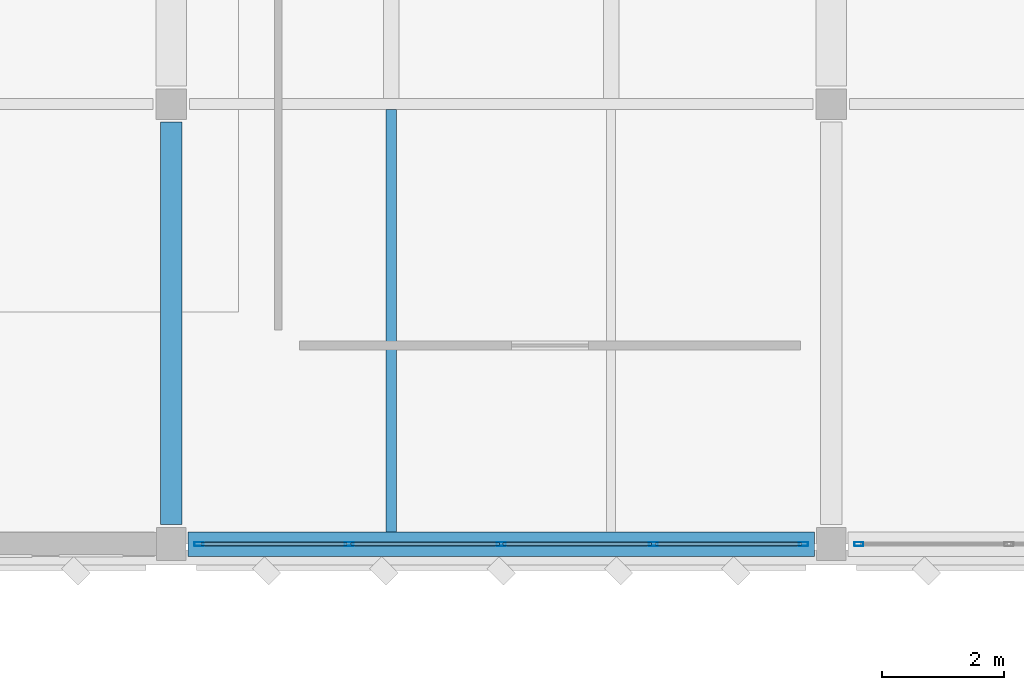
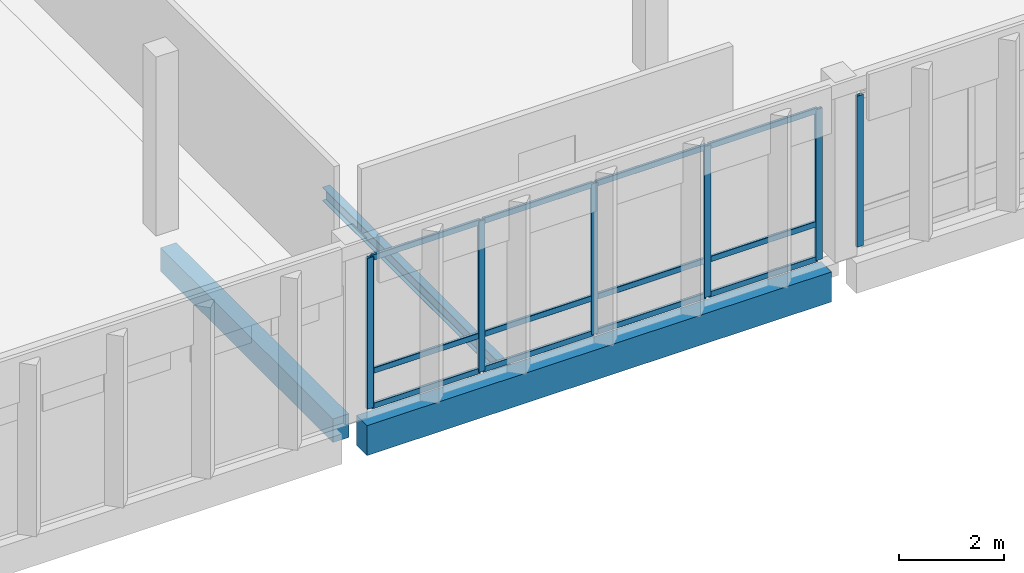
# One storey, part 24 of 72: 18 members, 3 beams, 2 elements without a shape of their own.
"""IFC4 building model written with IfcOpenShell, lengths in metres."""

from ifc_helpers import new_model, si_unit, direction, frame, origin, origin_2d, place, context, subcontext, project, spatial, rectangle, hollow_rectangle, i_section, extrude, material, material_profile, profile_set, type_object, element, aggregate, save


model = new_model("IFC4")

# Units and contexts
model_context = context("Model", 3, precision=1e-05, world=origin(), true_north=direction((0.0, 1.0)))
body_context = subcontext(model_context, "Body", "Model", "MODEL_VIEW")
ifc_project = project(units=[si_unit("LENGTHUNIT", "METRE"), si_unit("AREAUNIT", "SQUARE_METRE"), si_unit("VOLUMEUNIT", "CUBIC_METRE"), si_unit("PLANEANGLEUNIT", "RADIAN"), si_unit("MASSUNIT", "GRAM", prefix="KILO")], contexts=[model_context])

# Site, building, storey
site_placement = place(None, origin())
site = spatial("IfcSite", under=ifc_project, at=site_placement, CompositionType="ELEMENT")
building_placement = place(site_placement, origin())
building = spatial("IfcBuilding", under=site, at=building_placement, Name="Lusvemor Sports Hall", CompositionType="ELEMENT")
storey_placement = place(building_placement, frame((0.0, 0.0, 15.0)))
storey = spatial("IfcBuildingStorey", under=building, at=storey_placement, Name="L03", CompositionType="ELEMENT", Elevation=15.0)

# Beam
ifc_material_1 = material(Name="Concrete C40/50", Category="concrete")
ifc_material_profile_1 = material_profile(ifc_material_1, rectangle(XDim=0.35009765625, YDim=0.550048828125, at=origin_2d()), Name="RC350x550")
ifc_profile_set_1 = profile_set([ifc_material_profile_1], Name="Concrete C40/50")
beam_type_1 = type_object("IfcBeamType", Name="BEAM_RC_550", PredefinedType="BEAM", material=ifc_profile_set_1)
beam_1_placement = place(storey_placement, frame((32.39990234375, 97.51611328125, -0.514892578125), z_axis=(0.0, 1.0, 0.0), x_axis=(-1.0, 0.0, 0.0)))
element("IfcBeam", 1, at=beam_1_placement, inside=storey, type_object=beam_type_1, Name="Beam L03 4:N-P", PredefinedType="BEAM", context=body_context, shape_type="SweptSolid", body=[
    extrude(rectangle(XDim=0.35009765625, YDim=0.550048828125, at=origin_2d()), origin(), (0.0, 0.0, 1.0), 6.587890625),
])

# Curtain wall, members
ifc_material_2 = material(Name="Thermally broken bronze-anodized aluminium", Category="aluminium")
curtain_wall_type = type_object("IfcCurtainWallType", Name="CW_WING_B", PredefinedType="NOTDEFINED", material=ifc_material_2)
curtain_wall_1_placement = place(storey_placement, origin())
curtain_wall_1 = element("IfcCurtainWall", 2, at=curtain_wall_1_placement, inside=storey, type_object=curtain_wall_type, Name="Curtain Wall CW-L03-S-3-1", PredefinedType="NOTDEFINED")
ifc_material_3 = material(Name="Thermally broken bronze-anodized aluminium", Category="aluminium")
ifc_material_profile_2 = material_profile(ifc_material_3, hollow_rectangle(XDim=0.06494140625, YDim=0.14990234375, WallThickness=0.00390625, InnerFilletRadius=0.00390625, OuterFilletRadius=0.008056640625, at=origin_2d()), Name="CWMUL150x65x4")
ifc_profile_set_2 = profile_set([ifc_material_profile_2], Name="Thermally broken bronze-anodized aluminium")
member_type_1 = type_object("IfcMemberType", Name="CW_MUL_B", PredefinedType="MULLION", material=ifc_profile_set_2)
member_1_placement = place(storey_placement, frame((42.74755859375, 97.199951171875, 0.0), z_axis=(0.0, 0.0, 1.0), x_axis=(0.0, -1.0, 0.0)))
member_1 = element("IfcMember", 3, at=member_1_placement, type_object=member_type_1, Name="CW02 mullion 1", PredefinedType="MULLION", context=body_context, shape_type="SweptSolid", body=[
    extrude(hollow_rectangle(XDim=0.06494140625, YDim=0.14990234375, WallThickness=0.00390625, InnerFilletRadius=0.00390625, OuterFilletRadius=0.008056640625, at=origin_2d()), origin(), (0.0, 0.0, 1.0), 3.52001953125),
])
member_2_placement = place(storey_placement, frame((40.2900390625, 97.199951171875, 0.0), z_axis=(0.0, 0.0, 1.0), x_axis=(0.0, -1.0, 0.0)))
member_2 = element("IfcMember", 4, at=member_2_placement, type_object=member_type_1, Name="CW02 mullion 2", PredefinedType="MULLION", context=body_context, shape_type="SweptSolid", body=[
    extrude(hollow_rectangle(XDim=0.06494140625, YDim=0.14990234375, WallThickness=0.00390625, InnerFilletRadius=0.00390625, OuterFilletRadius=0.008056640625, at=origin_2d()), origin(), (0.0, 0.0, 1.0), 3.52001953125),
])
member_3_placement = place(storey_placement, frame((37.800048828125, 97.199951171875, 0.0), z_axis=(0.0, 0.0, 1.0), x_axis=(0.0, -1.0, 0.0)))
member_3 = element("IfcMember", 5, at=member_3_placement, type_object=member_type_1, Name="CW02 mullion 3", PredefinedType="MULLION", context=body_context, shape_type="SweptSolid", body=[
    extrude(hollow_rectangle(XDim=0.06494140625, YDim=0.14990234375, WallThickness=0.00390625, InnerFilletRadius=0.00390625, OuterFilletRadius=0.008056640625, at=origin_2d()), origin(), (0.0, 0.0, 1.0), 3.52001953125),
])
member_4_placement = place(storey_placement, frame((35.31005859375, 97.199951171875, 0.0), z_axis=(0.0, 0.0, 1.0), x_axis=(0.0, -1.0, 0.0)))
member_4 = element("IfcMember", 6, at=member_4_placement, type_object=member_type_1, Name="CW02 mullion 4", PredefinedType="MULLION", context=body_context, shape_type="SweptSolid", body=[
    extrude(hollow_rectangle(XDim=0.06494140625, YDim=0.14990234375, WallThickness=0.00390625, InnerFilletRadius=0.00390625, OuterFilletRadius=0.008056640625, at=origin_2d()), origin(), (0.0, 0.0, 1.0), 3.52001953125),
])
member_5_placement = place(storey_placement, frame((32.8525390625, 97.199951171875, 0.0), z_axis=(0.0, 0.0, 1.0), x_axis=(0.0, -1.0, 0.0)))
member_5 = element("IfcMember", 7, at=member_5_placement, type_object=member_type_1, Name="CW02 mullion 5", PredefinedType="MULLION", context=body_context, shape_type="SweptSolid", body=[
    extrude(hollow_rectangle(XDim=0.06494140625, YDim=0.14990234375, WallThickness=0.00390625, InnerFilletRadius=0.00390625, OuterFilletRadius=0.008056640625, at=origin_2d()), origin(), (0.0, 0.0, 1.0), 3.52001953125),
])

# Curtain wall, member
curtain_wall_2_placement = place(storey_placement, origin())
curtain_wall_2 = element("IfcCurtainWall", 8, at=curtain_wall_2_placement, inside=storey, type_object=curtain_wall_type, Name="Curtain Wall CW-L03-S-3-2", PredefinedType="NOTDEFINED")
member_6_placement = place(storey_placement, frame((43.652587890625, 97.199951171875, 0.0), z_axis=(0.0, 0.0, 1.0), x_axis=(0.0, -1.0, 0.0)))
member_6 = element("IfcMember", 9, at=member_6_placement, type_object=member_type_1, Name="CW02 mullion 5", PredefinedType="MULLION", context=body_context, shape_type="SweptSolid", body=[
    extrude(hollow_rectangle(XDim=0.06494140625, YDim=0.14990234375, WallThickness=0.00390625, InnerFilletRadius=0.00390625, OuterFilletRadius=0.008056640625, at=origin_2d()), origin(), (0.0, 0.0, 1.0), 3.52001953125),
])
aggregate(curtain_wall_2, [member_6])

# Member
ifc_material_4 = material(Name="Thermally broken bronze-anodized aluminium", Category="aluminium")
ifc_material_profile_3 = material_profile(ifc_material_4, hollow_rectangle(XDim=0.06005859375, YDim=0.135009765625, WallThickness=0.00390625, InnerFilletRadius=0.00390625, OuterFilletRadius=0.008056640625, at=origin_2d()), Name="CWTRN135x60x4")
ifc_profile_set_3 = profile_set([ifc_material_profile_3], Name="Thermally broken bronze-anodized aluminium")
member_type_2 = type_object("IfcMemberType", Name="CW_TRN_B", PredefinedType="USERDEFINED", material=ifc_profile_set_3)
member_7_placement = place(storey_placement, frame((42.715087890625, 97.199951171875, 0.030029296875), z_axis=(-1.0, 0.0, 0.0), x_axis=(0.0, -1.0, 0.0)))
member_7 = element("IfcMember", 10, at=member_7_placement, type_object=member_type_2, Name="CW02 transom 1.1", ObjectType="TRANSOM", PredefinedType="USERDEFINED", context=body_context, shape_type="SweptSolid", body=[
    extrude(hollow_rectangle(XDim=0.06005859375, YDim=0.135009765625, WallThickness=0.00390625, InnerFilletRadius=0.00390625, OuterFilletRadius=0.008056640625, at=origin_2d()), origin(), (0.0, 0.0, 1.0), 2.392578125),
])

member_8_placement = place(storey_placement, frame((42.715087890625, 97.199951171875, 0.85009765625), z_axis=(-1.0, 0.0, 0.0), x_axis=(0.0, -1.0, 0.0)))
member_8 = element("IfcMember", 11, at=member_8_placement, type_object=member_type_2, Name="CW02 transom 1.2", ObjectType="TRANSOM", PredefinedType="USERDEFINED", context=body_context, shape_type="SweptSolid", body=[
    extrude(hollow_rectangle(XDim=0.06005859375, YDim=0.135009765625, WallThickness=0.00390625, InnerFilletRadius=0.00390625, OuterFilletRadius=0.008056640625, at=origin_2d()), origin(), (0.0, 0.0, 1.0), 2.392578125),
])

member_9_placement = place(storey_placement, frame((42.715087890625, 97.199951171875, 3.489990234375), z_axis=(-1.0, 0.0, 0.0), x_axis=(0.0, -1.0, 0.0)))
member_9 = element("IfcMember", 12, at=member_9_placement, type_object=member_type_2, Name="CW02 transom 1.3", ObjectType="TRANSOM", PredefinedType="USERDEFINED", context=body_context, shape_type="SweptSolid", body=[
    extrude(hollow_rectangle(XDim=0.06005859375, YDim=0.135009765625, WallThickness=0.00390625, InnerFilletRadius=0.00390625, OuterFilletRadius=0.008056640625, at=origin_2d()), origin(), (0.0, 0.0, 1.0), 2.392578125),
])

member_10_placement = place(storey_placement, frame((40.257568359375, 97.199951171875, 0.030029296875), z_axis=(-1.0, 0.0, 0.0), x_axis=(0.0, -1.0, 0.0)))
member_10 = element("IfcMember", 13, at=member_10_placement, type_object=member_type_2, Name="CW02 transom 2.1", ObjectType="TRANSOM", PredefinedType="USERDEFINED", context=body_context, shape_type="SweptSolid", body=[
    extrude(hollow_rectangle(XDim=0.06005859375, YDim=0.135009765625, WallThickness=0.00390625, InnerFilletRadius=0.00390625, OuterFilletRadius=0.008056640625, at=origin_2d()), origin(), (0.0, 0.0, 1.0), 2.425048828125),
])

member_11_placement = place(storey_placement, frame((40.257568359375, 97.199951171875, 0.85009765625), z_axis=(-1.0, 0.0, 0.0), x_axis=(0.0, -1.0, 0.0)))
member_11 = element("IfcMember", 14, at=member_11_placement, type_object=member_type_2, Name="CW02 transom 2.2", ObjectType="TRANSOM", PredefinedType="USERDEFINED", context=body_context, shape_type="SweptSolid", body=[
    extrude(hollow_rectangle(XDim=0.06005859375, YDim=0.135009765625, WallThickness=0.00390625, InnerFilletRadius=0.00390625, OuterFilletRadius=0.008056640625, at=origin_2d()), origin(), (0.0, 0.0, 1.0), 2.425048828125),
])

member_12_placement = place(storey_placement, frame((40.257568359375, 97.199951171875, 3.489990234375), z_axis=(-1.0, 0.0, 0.0), x_axis=(0.0, -1.0, 0.0)))
member_12 = element("IfcMember", 15, at=member_12_placement, type_object=member_type_2, Name="CW02 transom 2.3", ObjectType="TRANSOM", PredefinedType="USERDEFINED", context=body_context, shape_type="SweptSolid", body=[
    extrude(hollow_rectangle(XDim=0.06005859375, YDim=0.135009765625, WallThickness=0.00390625, InnerFilletRadius=0.00390625, OuterFilletRadius=0.008056640625, at=origin_2d()), origin(), (0.0, 0.0, 1.0), 2.425048828125),
])

member_13_placement = place(storey_placement, frame((37.767578125, 97.199951171875, 0.030029296875), z_axis=(-1.0, 0.0, 0.0), x_axis=(0.0, -1.0, 0.0)))
member_13 = element("IfcMember", 16, at=member_13_placement, type_object=member_type_2, Name="CW02 transom 3.1", ObjectType="TRANSOM", PredefinedType="USERDEFINED", context=body_context, shape_type="SweptSolid", body=[
    extrude(hollow_rectangle(XDim=0.06005859375, YDim=0.135009765625, WallThickness=0.00390625, InnerFilletRadius=0.00390625, OuterFilletRadius=0.008056640625, at=origin_2d()), origin(), (0.0, 0.0, 1.0), 2.425048828125),
])

member_14_placement = place(storey_placement, frame((37.767578125, 97.199951171875, 0.85009765625), z_axis=(-1.0, 0.0, 0.0), x_axis=(0.0, -1.0, 0.0)))
member_14 = element("IfcMember", 17, at=member_14_placement, type_object=member_type_2, Name="CW02 transom 3.2", ObjectType="TRANSOM", PredefinedType="USERDEFINED", context=body_context, shape_type="SweptSolid", body=[
    extrude(hollow_rectangle(XDim=0.06005859375, YDim=0.135009765625, WallThickness=0.00390625, InnerFilletRadius=0.00390625, OuterFilletRadius=0.008056640625, at=origin_2d()), origin(), (0.0, 0.0, 1.0), 2.425048828125),
])

member_15_placement = place(storey_placement, frame((37.767578125, 97.199951171875, 3.489990234375), z_axis=(-1.0, 0.0, 0.0), x_axis=(0.0, -1.0, 0.0)))
member_15 = element("IfcMember", 18, at=member_15_placement, type_object=member_type_2, Name="CW02 transom 3.3", ObjectType="TRANSOM", PredefinedType="USERDEFINED", context=body_context, shape_type="SweptSolid", body=[
    extrude(hollow_rectangle(XDim=0.06005859375, YDim=0.135009765625, WallThickness=0.00390625, InnerFilletRadius=0.00390625, OuterFilletRadius=0.008056640625, at=origin_2d()), origin(), (0.0, 0.0, 1.0), 2.425048828125),
])

member_16_placement = place(storey_placement, frame((35.277587890625, 97.199951171875, 0.030029296875), z_axis=(-1.0, 0.0, 0.0), x_axis=(0.0, -1.0, 0.0)))
member_16 = element("IfcMember", 19, at=member_16_placement, type_object=member_type_2, Name="CW02 transom 4.1", ObjectType="TRANSOM", PredefinedType="USERDEFINED", context=body_context, shape_type="SweptSolid", body=[
    extrude(hollow_rectangle(XDim=0.06005859375, YDim=0.135009765625, WallThickness=0.00390625, InnerFilletRadius=0.00390625, OuterFilletRadius=0.008056640625, at=origin_2d()), origin(), (0.0, 0.0, 1.0), 2.392578125),
])

member_17_placement = place(storey_placement, frame((35.277587890625, 97.199951171875, 0.85009765625), z_axis=(-1.0, 0.0, 0.0), x_axis=(0.0, -1.0, 0.0)))
member_17 = element("IfcMember", 20, at=member_17_placement, type_object=member_type_2, Name="CW02 transom 4.2", ObjectType="TRANSOM", PredefinedType="USERDEFINED", context=body_context, shape_type="SweptSolid", body=[
    extrude(hollow_rectangle(XDim=0.06005859375, YDim=0.135009765625, WallThickness=0.00390625, InnerFilletRadius=0.00390625, OuterFilletRadius=0.008056640625, at=origin_2d()), origin(), (0.0, 0.0, 1.0), 2.392578125),
])

member_18_placement = place(storey_placement, frame((35.277587890625, 97.199951171875, 3.489990234375), z_axis=(-1.0, 0.0, 0.0), x_axis=(0.0, -1.0, 0.0)))
member_18 = element("IfcMember", 21, at=member_18_placement, type_object=member_type_2, Name="CW02 transom 4.3", ObjectType="TRANSOM", PredefinedType="USERDEFINED", context=body_context, shape_type="SweptSolid", body=[
    extrude(hollow_rectangle(XDim=0.06005859375, YDim=0.135009765625, WallThickness=0.00390625, InnerFilletRadius=0.00390625, OuterFilletRadius=0.008056640625, at=origin_2d()), origin(), (0.0, 0.0, 1.0), 2.392578125),
])

aggregate(curtain_wall_1, [member_1, member_2, member_3, member_4, member_5, member_7, member_8, member_9, member_10, member_11, member_12, member_13, member_14, member_15, member_16, member_17, member_18])

# Beams
ifc_material_5 = material(Name="Steel S355", Category="steel")
ifc_material_profile_4 = material_profile(ifc_material_5, i_section(OverallWidth=0.1669921875, OverallDepth=0.31689453125, WebThickness=0.007568359375, FlangeThickness=0.01318359375, FilletRadius=0.014892578125, at=origin_2d()), Name="W310x52.0")
ifc_profile_set_4 = profile_set([ifc_material_profile_4], Name="Steel S355")
beam_type_2 = type_object("IfcBeamType", Name="JOIST_ST_310M", PredefinedType="JOIST", material=ifc_profile_set_4)
beam_2_placement = place(storey_placement, frame((36.0, 97.39599609375, -0.402587890625), z_axis=(0.0, 1.0, 0.0), x_axis=(-1.0, 0.0, 0.0)))
element("IfcBeam", 22, at=beam_2_placement, inside=storey, type_object=beam_type_2, Name="Secondary Joist L03 4-5/N-P #1", PredefinedType="JOIST", context=body_context, shape_type="SweptSolid", body=[
    extrude(i_section(OverallWidth=0.1669921875, OverallDepth=0.31689453125, WebThickness=0.007568359375, FlangeThickness=0.01318359375, FilletRadius=0.014892578125, at=origin_2d()), origin(), (0.0, 0.0, 1.0), 6.91748046875),
])
ifc_material_6 = material(Name="Concrete C40/50", Category="concrete")
ifc_material_profile_5 = material_profile(ifc_material_6, rectangle(XDim=0.39990234375, YDim=0.699951171875, at=origin_2d()), Name="RC400x700")
ifc_profile_set_5 = profile_set([ifc_material_profile_5], Name="Concrete C40/50")
beam_type_3 = type_object("IfcBeamType", Name="SPAND_EXT_700", PredefinedType="SPANDREL", material=ifc_profile_set_5)
beam_3_placement = place(storey_placement, frame((32.676025390625, 97.199951171875, -0.590087890625), z_axis=(1.0, 0.0, 0.0), x_axis=(0.0, 1.0, 0.0)))
element("IfcBeam", 23, at=beam_3_placement, inside=storey, type_object=beam_type_3, Name="Beam L03 N:4-5", PredefinedType="SPANDREL", context=body_context, shape_type="SweptSolid", body=[
    extrude(rectangle(XDim=0.39990234375, YDim=0.699951171875, at=origin_2d()), origin(), (0.0, 0.0, 1.0), 10.248046875),
])

save(model, "model.ifc")
